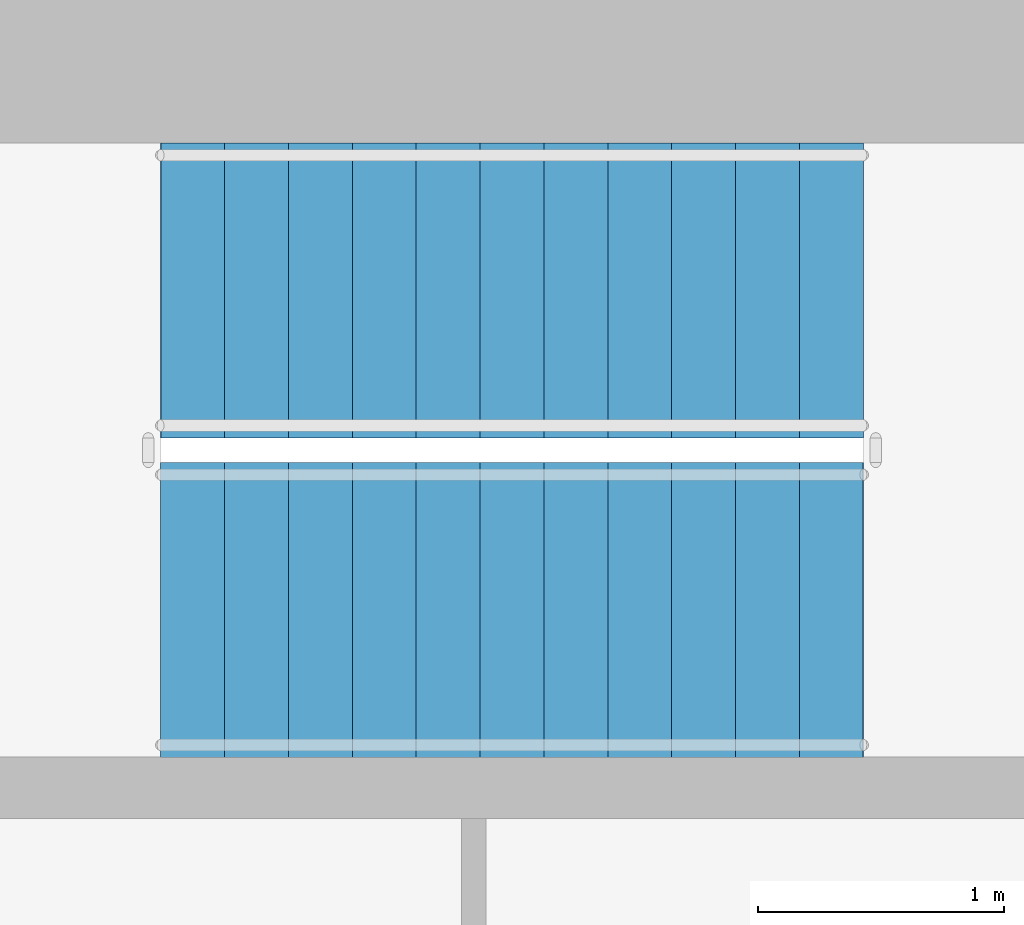
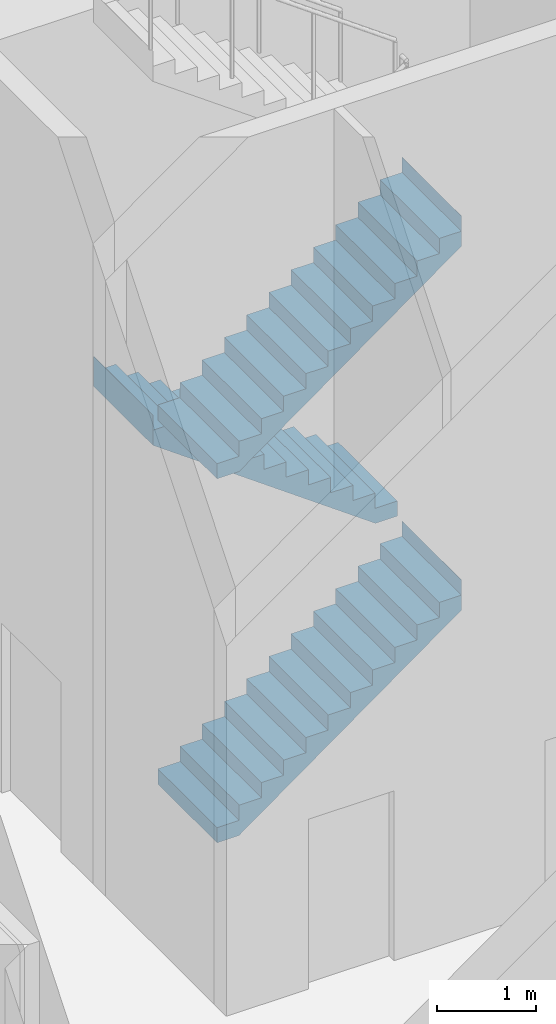
# One storey, part 19 of 35: 3 stair flights, 1 element without a shape of its own.
"""IFC4 building model written with IfcOpenShell, lengths in metres."""

from ifc_helpers import new_model, si_unit, direction, frame, origin, place, context, subcontext, project, spatial, triangles, material, type_object, element, aggregate, save


model = new_model("IFC4")

# Units and contexts
model_context = context("Model", 3, precision=1e-05, world=origin(), true_north=direction((0.0, 1.0)))
body_context = subcontext(model_context, "Body", "Model", "MODEL_VIEW")
ifc_project = project(units=[si_unit("LENGTHUNIT", "METRE"), si_unit("AREAUNIT", "SQUARE_METRE"), si_unit("VOLUMEUNIT", "CUBIC_METRE"), si_unit("PLANEANGLEUNIT", "RADIAN"), si_unit("MASSUNIT", "GRAM", prefix="KILO")], contexts=[model_context])

# Site, building, storey
site_placement = place(None, origin())
site = spatial("IfcSite", under=ifc_project, at=site_placement, CompositionType="ELEMENT")
building_placement = place(site_placement, origin())
building = spatial("IfcBuilding", under=site, at=building_placement, Name="Sahrelin Media Tower", CompositionType="ELEMENT")
storey_placement = place(building_placement, frame((0.0, 0.0, 17.0)))
storey = spatial("IfcBuildingStorey", under=building, at=storey_placement, Name="L02", CompositionType="ELEMENT", Elevation=17.0)

# Stair, stair flights
ifc_material = material(Name="Concrete C40/50", Category="concrete")
stair_type = type_object("IfcStairType", Name="Exit stair 1200", PredefinedType="HALF_TURN_STAIR", material=ifc_material)
stair_placement = place(storey_placement, origin())
stair = element("IfcStair", 1, at=stair_placement, inside=storey, type_object=stair_type, Name="L02 Exit stair ST1", PredefinedType="HALF_TURN_STAIR")
stair_flight_type = type_object("IfcStairFlightType", Name="Stair flight 1200", PredefinedType="STRAIGHT", material=ifc_material)
stair_flight_1_placement = place(storey_placement, frame((-7.675048828125, 4.699951171875, 0.0), z_axis=(0.0, 0.0, 1.0), x_axis=(1.0, 0.0, 0.0)))
stair_flight_1 = element("IfcStairFlight", 2, at=stair_flight_1_placement, type_object=stair_flight_type, Name="ST1 flight 1", NumberOfRisers=12, NumberOfTreads=11, PredefinedType="STRAIGHT", RiserHeight=0.1875, TreadLength=0.26, context=body_context, shape_type="Tessellation", body=[
    triangles([(0.25634765625, 0.60009765625, 0.0), (0.25634765625, 0.300048828125, 0.0), (0.25634765625, 0.0, 0.0), (0.25634765625, -0.300048828125, 0.0), (0.25634765625, -0.60009765625, 0.0), (2.860107421875, 0.60009765625, 1.877685546875), (2.860107421875, 0.300048828125, 1.877685546875), (2.860107421875, 0.0, 1.877685546875), (2.860107421875, -0.300048828125, 1.877685546875), (2.860107421875, -0.60009765625, 1.877685546875), (2.860107421875, 0.60009765625, 2.25), (2.860107421875, 0.300048828125, 2.25), (2.860107421875, 0.0, 2.25), (2.860107421875, -0.300048828125, 2.25), (2.860107421875, -0.60009765625, 2.25), (2.85791015625, 0.60009765625, 2.25), (2.85791015625, 0.300048828125, 2.25), (2.85791015625, 0.0, 2.25), (2.85791015625, -0.300048828125, 2.25), (2.85791015625, -0.60009765625, 2.25), (2.85791015625, 0.60009765625, 2.0625), (2.85791015625, 0.300048828125, 2.0625), (2.85791015625, 0.0, 2.0625), (2.85791015625, -0.300048828125, 2.0625), (2.85791015625, -0.60009765625, 2.0625), (2.60009765625, 0.60009765625, 2.0625), (2.60009765625, 0.300048828125, 2.0625), (2.60009765625, 0.0, 2.0625), (2.60009765625, -0.300048828125, 2.0625), (2.60009765625, -0.60009765625, 2.0625), (2.60009765625, 0.60009765625, 1.875), (2.60009765625, 0.300048828125, 1.875), (2.60009765625, 0.0, 1.875), (2.60009765625, -0.300048828125, 1.875), (2.60009765625, -0.60009765625, 1.875), (2.340087890625, 0.60009765625, 1.875), (2.340087890625, 0.300048828125, 1.875), (2.340087890625, 0.0, 1.875), (2.340087890625, -0.300048828125, 1.875), (2.340087890625, -0.60009765625, 1.875), (2.340087890625, 0.60009765625, 1.6875), (2.340087890625, 0.300048828125, 1.6875), (2.340087890625, 0.0, 1.6875), (2.340087890625, -0.300048828125, 1.6875), (2.340087890625, -0.60009765625, 1.6875), (2.080078125, 0.60009765625, 1.6875), (2.080078125, 0.300048828125, 1.6875), (2.080078125, 0.0, 1.6875), (2.080078125, -0.300048828125, 1.6875), (2.080078125, -0.60009765625, 1.6875), (2.080078125, 0.60009765625, 1.5), (2.080078125, 0.300048828125, 1.5), (2.080078125, 0.0, 1.5), (2.080078125, -0.300048828125, 1.5), (2.080078125, -0.60009765625, 1.5), (1.820068359375, 0.60009765625, 1.5), (1.820068359375, 0.300048828125, 1.5), (1.820068359375, 0.0, 1.5), (1.820068359375, -0.300048828125, 1.5), (1.820068359375, -0.60009765625, 1.5), (1.820068359375, 0.60009765625, 1.3125), (1.820068359375, 0.300048828125, 1.3125), (1.820068359375, 0.0, 1.3125), (1.820068359375, -0.300048828125, 1.3125), (1.820068359375, -0.60009765625, 1.3125), (1.56005859375, 0.60009765625, 1.3125), (1.56005859375, 0.300048828125, 1.3125), (1.56005859375, 0.0, 1.3125), (1.56005859375, -0.300048828125, 1.3125), (1.56005859375, -0.60009765625, 1.3125), (1.56005859375, 0.60009765625, 1.125), (1.56005859375, 0.300048828125, 1.125), (1.56005859375, 0.0, 1.125), (1.56005859375, -0.300048828125, 1.125), (1.56005859375, -0.60009765625, 1.125), (1.300048828125, 0.60009765625, 1.125), (1.300048828125, 0.300048828125, 1.125), (1.300048828125, 0.0, 1.125), (1.300048828125, -0.300048828125, 1.125), (1.300048828125, -0.60009765625, 1.125), (1.300048828125, 0.60009765625, 0.9375), (1.300048828125, 0.300048828125, 0.9375), (1.300048828125, 0.0, 0.9375), (1.300048828125, -0.300048828125, 0.9375), (1.300048828125, -0.60009765625, 0.9375), (1.0400390625, 0.60009765625, 0.9375), (1.0400390625, 0.300048828125, 0.9375), (1.0400390625, 0.0, 0.9375), (1.0400390625, -0.300048828125, 0.9375), (1.0400390625, -0.60009765625, 0.9375), (1.0400390625, 0.60009765625, 0.75), (1.0400390625, 0.300048828125, 0.75), (1.0400390625, 0.0, 0.75), (1.0400390625, -0.300048828125, 0.75), (1.0400390625, -0.60009765625, 0.75), (0.780029296875, 0.60009765625, 0.75), (0.780029296875, 0.300048828125, 0.75), (0.780029296875, 0.0, 0.75), (0.780029296875, -0.300048828125, 0.75), (0.780029296875, -0.60009765625, 0.75), (0.780029296875, 0.60009765625, 0.5625), (0.780029296875, 0.300048828125, 0.5625), (0.780029296875, 0.0, 0.5625), (0.780029296875, -0.300048828125, 0.5625), (0.780029296875, -0.60009765625, 0.5625), (0.52001953125, 0.60009765625, 0.5625), (0.52001953125, 0.300048828125, 0.5625), (0.52001953125, 0.0, 0.5625), (0.52001953125, -0.300048828125, 0.5625), (0.52001953125, -0.60009765625, 0.5625), (0.52001953125, 0.60009765625, 0.375), (0.52001953125, 0.300048828125, 0.375), (0.52001953125, 0.0, 0.375), (0.52001953125, -0.300048828125, 0.375), (0.52001953125, -0.60009765625, 0.375), (0.260009765625, 0.60009765625, 0.375), (0.260009765625, 0.300048828125, 0.375), (0.260009765625, 0.0, 0.375), (0.260009765625, -0.300048828125, 0.375), (0.260009765625, -0.60009765625, 0.375), (0.260009765625, 0.60009765625, 0.1875), (0.260009765625, 0.300048828125, 0.1875), (0.260009765625, 0.0, 0.1875), (0.260009765625, -0.300048828125, 0.1875), (0.260009765625, -0.60009765625, 0.1875), (0.0, 0.60009765625, 0.1875), (0.0, 0.300048828125, 0.1875), (0.0, 0.0, 0.1875), (0.0, -0.300048828125, 0.1875), (0.0, -0.60009765625, 0.1875), (0.0, 0.60009765625, 0.0), (0.0, 0.300048828125, 0.0), (0.0, 0.0, 0.0), (0.0, -0.300048828125, 0.0), (0.0, -0.60009765625, 0.0)], [[1, 6, 7], [1, 7, 2], [2, 7, 8], [2, 8, 3], [3, 8, 9], [3, 9, 4], [4, 9, 10], [4, 10, 5], [6, 11, 12], [6, 12, 7], [7, 12, 13], [7, 13, 8], [8, 13, 14], [8, 14, 9], [9, 14, 15], [9, 15, 10], [11, 16, 17], [11, 17, 12], [12, 17, 18], [12, 18, 13], [13, 18, 19], [13, 19, 14], [14, 19, 20], [14, 20, 15], [16, 21, 22], [16, 22, 17], [17, 22, 23], [17, 23, 18], [18, 23, 24], [18, 24, 19], [19, 24, 25], [19, 25, 20], [21, 26, 27], [21, 27, 22], [22, 27, 28], [22, 28, 23], [23, 28, 29], [23, 29, 24], [24, 29, 30], [24, 30, 25], [26, 31, 32], [26, 32, 27], [27, 32, 33], [27, 33, 28], [28, 33, 34], [28, 34, 29], [29, 34, 35], [29, 35, 30], [31, 36, 37], [31, 37, 32], [32, 37, 38], [32, 38, 33], [33, 38, 39], [33, 39, 34], [34, 39, 40], [34, 40, 35], [36, 41, 42], [36, 42, 37], [37, 42, 43], [37, 43, 38], [38, 43, 44], [38, 44, 39], [39, 44, 45], [39, 45, 40], [41, 46, 47], [41, 47, 42], [42, 47, 48], [42, 48, 43], [43, 48, 49], [43, 49, 44], [44, 49, 50], [44, 50, 45], [46, 51, 52], [46, 52, 47], [47, 52, 53], [47, 53, 48], [48, 53, 54], [48, 54, 49], [49, 54, 55], [49, 55, 50], [51, 56, 57], [51, 57, 52], [52, 57, 58], [52, 58, 53], [53, 58, 59], [53, 59, 54], [54, 59, 60], [54, 60, 55], [56, 61, 62], [56, 62, 57], [57, 62, 63], [57, 63, 58], [58, 63, 64], [58, 64, 59], [59, 64, 65], [59, 65, 60], [61, 66, 67], [61, 67, 62], [62, 67, 68], [62, 68, 63], [63, 68, 69], [63, 69, 64], [64, 69, 70], [64, 70, 65], [66, 71, 72], [66, 72, 67], [67, 72, 73], [67, 73, 68], [68, 73, 74], [68, 74, 69], [69, 74, 75], [69, 75, 70], [71, 76, 77], [71, 77, 72], [72, 77, 78], [72, 78, 73], [73, 78, 79], [73, 79, 74], [74, 79, 80], [74, 80, 75], [76, 81, 82], [76, 82, 77], [77, 82, 83], [77, 83, 78], [78, 83, 84], [78, 84, 79], [79, 84, 85], [79, 85, 80], [81, 86, 87], [81, 87, 82], [82, 87, 88], [82, 88, 83], [83, 88, 89], [83, 89, 84], [84, 89, 90], [84, 90, 85], [86, 91, 92], [86, 92, 87], [87, 92, 93], [87, 93, 88], [88, 93, 94], [88, 94, 89], [89, 94, 95], [89, 95, 90], [91, 96, 97], [91, 97, 92], [92, 97, 98], [92, 98, 93], [93, 98, 99], [93, 99, 94], [94, 99, 100], [94, 100, 95], [96, 101, 102], [96, 102, 97], [97, 102, 103], [97, 103, 98], [98, 103, 104], [98, 104, 99], [99, 104, 105], [99, 105, 100], [101, 106, 107], [101, 107, 102], [102, 107, 108], [102, 108, 103], [103, 108, 109], [103, 109, 104], [104, 109, 110], [104, 110, 105], [106, 111, 112], [106, 112, 107], [107, 112, 113], [107, 113, 108], [108, 113, 114], [108, 114, 109], [109, 114, 115], [109, 115, 110], [111, 116, 117], [111, 117, 112], [112, 117, 118], [112, 118, 113], [113, 118, 119], [113, 119, 114], [114, 119, 120], [114, 120, 115], [116, 121, 122], [116, 122, 117], [117, 122, 123], [117, 123, 118], [118, 123, 124], [118, 124, 119], [119, 124, 125], [119, 125, 120], [121, 126, 127], [121, 127, 122], [122, 127, 128], [122, 128, 123], [123, 128, 129], [123, 129, 124], [124, 129, 130], [124, 130, 125], [126, 131, 132], [126, 132, 127], [127, 132, 133], [127, 133, 128], [128, 133, 134], [128, 134, 129], [129, 134, 135], [129, 135, 130], [131, 1, 2], [131, 2, 132], [132, 2, 3], [132, 3, 133], [133, 3, 4], [133, 4, 134], [134, 4, 5], [134, 5, 135], [5, 130, 135], [1, 131, 126], [125, 115, 120], [121, 116, 111], [115, 105, 110], [111, 106, 101], [105, 95, 100], [101, 96, 91], [95, 85, 90], [91, 86, 81], [85, 75, 80], [81, 76, 71], [75, 65, 70], [71, 66, 61], [65, 55, 60], [61, 56, 51], [55, 45, 50], [51, 46, 41], [45, 35, 40], [41, 36, 31], [35, 25, 30], [31, 26, 21], [25, 15, 20], [21, 16, 11], [5, 125, 130], [1, 126, 121], [10, 35, 45], [6, 41, 31], [25, 10, 15], [21, 11, 6], [115, 125, 5], [111, 1, 121], [35, 10, 25], [31, 21, 6], [105, 115, 5], [101, 1, 111], [45, 55, 10], [41, 6, 51], [95, 105, 5], [91, 1, 101], [65, 10, 55], [61, 51, 6], [85, 95, 5], [81, 1, 91], [75, 10, 65], [71, 61, 6], [75, 85, 5], [71, 1, 81], [5, 10, 75], [1, 71, 6]], closed=True),
])
stair_flight_2_placement = place(storey_placement, frame((-4.81494140625, 6.0, 2.25), z_axis=(0.0, 0.0, 1.0), x_axis=(-1.0, 0.0, 0.0)))
stair_flight_2 = element("IfcStairFlight", 3, at=stair_flight_2_placement, type_object=stair_flight_type, Name="ST1 flight 2", NumberOfRisers=12, NumberOfTreads=11, PredefinedType="STRAIGHT", RiserHeight=0.1875, TreadLength=0.26, context=body_context, shape_type="Tessellation", body=[
    triangles([(0.25634765625, 0.60009765625, 0.0), (0.25634765625, 0.300048828125, 0.0), (0.25634765625, 0.0, 0.0), (0.25634765625, -0.300048828125, 0.0), (0.25634765625, -0.60009765625, 0.0), (2.860107421875, 0.60009765625, 1.877685546875), (2.860107421875, 0.300048828125, 1.877685546875), (2.860107421875, 0.0, 1.877685546875), (2.860107421875, -0.300048828125, 1.877685546875), (2.860107421875, -0.60009765625, 1.877685546875), (2.860107421875, 0.60009765625, 2.25), (2.860107421875, 0.300048828125, 2.25), (2.860107421875, 0.0, 2.25), (2.860107421875, -0.300048828125, 2.25), (2.860107421875, -0.60009765625, 2.25), (2.85791015625, 0.60009765625, 2.25), (2.85791015625, 0.300048828125, 2.25), (2.85791015625, 0.0, 2.25), (2.85791015625, -0.300048828125, 2.25), (2.85791015625, -0.60009765625, 2.25), (2.85791015625, 0.60009765625, 2.0625), (2.85791015625, 0.300048828125, 2.0625), (2.85791015625, 0.0, 2.0625), (2.85791015625, -0.300048828125, 2.0625), (2.85791015625, -0.60009765625, 2.0625), (2.60009765625, 0.60009765625, 2.0625), (2.60009765625, 0.300048828125, 2.0625), (2.60009765625, 0.0, 2.0625), (2.60009765625, -0.300048828125, 2.0625), (2.60009765625, -0.60009765625, 2.0625), (2.60009765625, 0.60009765625, 1.875), (2.60009765625, 0.300048828125, 1.875), (2.60009765625, 0.0, 1.875), (2.60009765625, -0.300048828125, 1.875), (2.60009765625, -0.60009765625, 1.875), (2.340087890625, 0.60009765625, 1.875), (2.340087890625, 0.300048828125, 1.875), (2.340087890625, 0.0, 1.875), (2.340087890625, -0.300048828125, 1.875), (2.340087890625, -0.60009765625, 1.875), (2.340087890625, 0.60009765625, 1.6875), (2.340087890625, 0.300048828125, 1.6875), (2.340087890625, 0.0, 1.6875), (2.340087890625, -0.300048828125, 1.6875), (2.340087890625, -0.60009765625, 1.6875), (2.080078125, 0.60009765625, 1.6875), (2.080078125, 0.300048828125, 1.6875), (2.080078125, 0.0, 1.6875), (2.080078125, -0.300048828125, 1.6875), (2.080078125, -0.60009765625, 1.6875), (2.080078125, 0.60009765625, 1.5), (2.080078125, 0.300048828125, 1.5), (2.080078125, 0.0, 1.5), (2.080078125, -0.300048828125, 1.5), (2.080078125, -0.60009765625, 1.5), (1.820068359375, 0.60009765625, 1.5), (1.820068359375, 0.300048828125, 1.5), (1.820068359375, 0.0, 1.5), (1.820068359375, -0.300048828125, 1.5), (1.820068359375, -0.60009765625, 1.5), (1.820068359375, 0.60009765625, 1.3125), (1.820068359375, 0.300048828125, 1.3125), (1.820068359375, 0.0, 1.3125), (1.820068359375, -0.300048828125, 1.3125), (1.820068359375, -0.60009765625, 1.3125), (1.56005859375, 0.60009765625, 1.3125), (1.56005859375, 0.300048828125, 1.3125), (1.56005859375, 0.0, 1.3125), (1.56005859375, -0.300048828125, 1.3125), (1.56005859375, -0.60009765625, 1.3125), (1.56005859375, 0.60009765625, 1.125), (1.56005859375, 0.300048828125, 1.125), (1.56005859375, 0.0, 1.125), (1.56005859375, -0.300048828125, 1.125), (1.56005859375, -0.60009765625, 1.125), (1.300048828125, 0.60009765625, 1.125), (1.300048828125, 0.300048828125, 1.125), (1.300048828125, 0.0, 1.125), (1.300048828125, -0.300048828125, 1.125), (1.300048828125, -0.60009765625, 1.125), (1.300048828125, 0.60009765625, 0.9375), (1.300048828125, 0.300048828125, 0.9375), (1.300048828125, 0.0, 0.9375), (1.300048828125, -0.300048828125, 0.9375), (1.300048828125, -0.60009765625, 0.9375), (1.0400390625, 0.60009765625, 0.9375), (1.0400390625, 0.300048828125, 0.9375), (1.0400390625, 0.0, 0.9375), (1.0400390625, -0.300048828125, 0.9375), (1.0400390625, -0.60009765625, 0.9375), (1.0400390625, 0.60009765625, 0.75), (1.0400390625, 0.300048828125, 0.75), (1.0400390625, 0.0, 0.75), (1.0400390625, -0.300048828125, 0.75), (1.0400390625, -0.60009765625, 0.75), (0.780029296875, 0.60009765625, 0.75), (0.780029296875, 0.300048828125, 0.75), (0.780029296875, 0.0, 0.75), (0.780029296875, -0.300048828125, 0.75), (0.780029296875, -0.60009765625, 0.75), (0.780029296875, 0.60009765625, 0.5625), (0.780029296875, 0.300048828125, 0.5625), (0.780029296875, 0.0, 0.5625), (0.780029296875, -0.300048828125, 0.5625), (0.780029296875, -0.60009765625, 0.5625), (0.52001953125, 0.60009765625, 0.5625), (0.52001953125, 0.300048828125, 0.5625), (0.52001953125, 0.0, 0.5625), (0.52001953125, -0.300048828125, 0.5625), (0.52001953125, -0.60009765625, 0.5625), (0.52001953125, 0.60009765625, 0.375), (0.52001953125, 0.300048828125, 0.375), (0.52001953125, 0.0, 0.375), (0.52001953125, -0.300048828125, 0.375), (0.52001953125, -0.60009765625, 0.375), (0.260009765625, 0.60009765625, 0.375), (0.260009765625, 0.300048828125, 0.375), (0.260009765625, 0.0, 0.375), (0.260009765625, -0.300048828125, 0.375), (0.260009765625, -0.60009765625, 0.375), (0.260009765625, 0.60009765625, 0.1875), (0.260009765625, 0.300048828125, 0.1875), (0.260009765625, 0.0, 0.1875), (0.260009765625, -0.300048828125, 0.1875), (0.260009765625, -0.60009765625, 0.1875), (0.0, 0.60009765625, 0.1875), (0.0, 0.300048828125, 0.1875), (0.0, 0.0, 0.1875), (0.0, -0.300048828125, 0.1875), (0.0, -0.60009765625, 0.1875), (0.0, 0.60009765625, 0.0), (0.0, 0.300048828125, 0.0), (0.0, 0.0, 0.0), (0.0, -0.300048828125, 0.0), (0.0, -0.60009765625, 0.0)], [[1, 6, 7], [1, 7, 2], [2, 7, 8], [2, 8, 3], [3, 8, 9], [3, 9, 4], [4, 9, 10], [4, 10, 5], [6, 11, 12], [6, 12, 7], [7, 12, 13], [7, 13, 8], [8, 13, 14], [8, 14, 9], [9, 14, 15], [9, 15, 10], [11, 16, 17], [11, 17, 12], [12, 17, 18], [12, 18, 13], [13, 18, 19], [13, 19, 14], [14, 19, 20], [14, 20, 15], [16, 21, 22], [16, 22, 17], [17, 22, 23], [17, 23, 18], [18, 23, 24], [18, 24, 19], [19, 24, 25], [19, 25, 20], [21, 26, 27], [21, 27, 22], [22, 27, 28], [22, 28, 23], [23, 28, 29], [23, 29, 24], [24, 29, 30], [24, 30, 25], [26, 31, 32], [26, 32, 27], [27, 32, 33], [27, 33, 28], [28, 33, 34], [28, 34, 29], [29, 34, 35], [29, 35, 30], [31, 36, 37], [31, 37, 32], [32, 37, 38], [32, 38, 33], [33, 38, 39], [33, 39, 34], [34, 39, 40], [34, 40, 35], [36, 41, 42], [36, 42, 37], [37, 42, 43], [37, 43, 38], [38, 43, 44], [38, 44, 39], [39, 44, 45], [39, 45, 40], [41, 46, 47], [41, 47, 42], [42, 47, 48], [42, 48, 43], [43, 48, 49], [43, 49, 44], [44, 49, 50], [44, 50, 45], [46, 51, 52], [46, 52, 47], [47, 52, 53], [47, 53, 48], [48, 53, 54], [48, 54, 49], [49, 54, 55], [49, 55, 50], [51, 56, 57], [51, 57, 52], [52, 57, 58], [52, 58, 53], [53, 58, 59], [53, 59, 54], [54, 59, 60], [54, 60, 55], [56, 61, 62], [56, 62, 57], [57, 62, 63], [57, 63, 58], [58, 63, 64], [58, 64, 59], [59, 64, 65], [59, 65, 60], [61, 66, 67], [61, 67, 62], [62, 67, 68], [62, 68, 63], [63, 68, 69], [63, 69, 64], [64, 69, 70], [64, 70, 65], [66, 71, 72], [66, 72, 67], [67, 72, 73], [67, 73, 68], [68, 73, 74], [68, 74, 69], [69, 74, 75], [69, 75, 70], [71, 76, 77], [71, 77, 72], [72, 77, 78], [72, 78, 73], [73, 78, 79], [73, 79, 74], [74, 79, 80], [74, 80, 75], [76, 81, 82], [76, 82, 77], [77, 82, 83], [77, 83, 78], [78, 83, 84], [78, 84, 79], [79, 84, 85], [79, 85, 80], [81, 86, 87], [81, 87, 82], [82, 87, 88], [82, 88, 83], [83, 88, 89], [83, 89, 84], [84, 89, 90], [84, 90, 85], [86, 91, 92], [86, 92, 87], [87, 92, 93], [87, 93, 88], [88, 93, 94], [88, 94, 89], [89, 94, 95], [89, 95, 90], [91, 96, 97], [91, 97, 92], [92, 97, 98], [92, 98, 93], [93, 98, 99], [93, 99, 94], [94, 99, 100], [94, 100, 95], [96, 101, 102], [96, 102, 97], [97, 102, 103], [97, 103, 98], [98, 103, 104], [98, 104, 99], [99, 104, 105], [99, 105, 100], [101, 106, 107], [101, 107, 102], [102, 107, 108], [102, 108, 103], [103, 108, 109], [103, 109, 104], [104, 109, 110], [104, 110, 105], [106, 111, 112], [106, 112, 107], [107, 112, 113], [107, 113, 108], [108, 113, 114], [108, 114, 109], [109, 114, 115], [109, 115, 110], [111, 116, 117], [111, 117, 112], [112, 117, 118], [112, 118, 113], [113, 118, 119], [113, 119, 114], [114, 119, 120], [114, 120, 115], [116, 121, 122], [116, 122, 117], [117, 122, 123], [117, 123, 118], [118, 123, 124], [118, 124, 119], [119, 124, 125], [119, 125, 120], [121, 126, 127], [121, 127, 122], [122, 127, 128], [122, 128, 123], [123, 128, 129], [123, 129, 124], [124, 129, 130], [124, 130, 125], [126, 131, 132], [126, 132, 127], [127, 132, 133], [127, 133, 128], [128, 133, 134], [128, 134, 129], [129, 134, 135], [129, 135, 130], [131, 1, 2], [131, 2, 132], [132, 2, 3], [132, 3, 133], [133, 3, 4], [133, 4, 134], [134, 4, 5], [134, 5, 135], [5, 130, 135], [1, 131, 126], [125, 115, 120], [121, 116, 111], [115, 105, 110], [111, 106, 101], [105, 95, 100], [101, 96, 91], [95, 85, 90], [91, 86, 81], [85, 75, 80], [81, 76, 71], [75, 65, 70], [71, 66, 61], [65, 55, 60], [61, 56, 51], [55, 45, 50], [51, 46, 41], [45, 35, 40], [41, 36, 31], [35, 25, 30], [31, 26, 21], [25, 15, 20], [21, 16, 11], [5, 125, 130], [1, 126, 121], [10, 35, 45], [6, 41, 31], [25, 10, 15], [21, 11, 6], [115, 125, 5], [111, 1, 121], [35, 10, 25], [31, 21, 6], [105, 115, 5], [101, 1, 111], [45, 55, 10], [41, 6, 51], [95, 105, 5], [91, 1, 101], [65, 10, 55], [61, 51, 6], [85, 95, 5], [81, 1, 91], [75, 10, 65], [71, 61, 6], [75, 85, 5], [71, 1, 81], [5, 10, 75], [1, 71, 6]], closed=True),
])
stair_flight_3_placement = place(storey_placement, frame((-7.675048828125, 4.699951171875, 4.5), z_axis=(0.0, 0.0, 1.0), x_axis=(1.0, 0.0, 0.0)))
stair_flight_3 = element("IfcStairFlight", 4, at=stair_flight_3_placement, type_object=stair_flight_type, Name="ST1 flight 3", NumberOfRisers=12, NumberOfTreads=11, PredefinedType="STRAIGHT", RiserHeight=0.1875, TreadLength=0.26, context=body_context, shape_type="Tessellation", body=[
    triangles([(0.25634765625, 0.60009765625, 0.0), (0.25634765625, 0.300048828125, 0.0), (0.25634765625, 0.0, 0.0), (0.25634765625, -0.300048828125, 0.0), (0.25634765625, -0.60009765625, 0.0), (2.860107421875, 0.60009765625, 1.877685546875), (2.860107421875, 0.300048828125, 1.877685546875), (2.860107421875, 0.0, 1.877685546875), (2.860107421875, -0.300048828125, 1.877685546875), (2.860107421875, -0.60009765625, 1.877685546875), (2.860107421875, 0.60009765625, 2.25), (2.860107421875, 0.300048828125, 2.25), (2.860107421875, 0.0, 2.25), (2.860107421875, -0.300048828125, 2.25), (2.860107421875, -0.60009765625, 2.25), (2.85791015625, 0.60009765625, 2.25), (2.85791015625, 0.300048828125, 2.25), (2.85791015625, 0.0, 2.25), (2.85791015625, -0.300048828125, 2.25), (2.85791015625, -0.60009765625, 2.25), (2.85791015625, 0.60009765625, 2.0625), (2.85791015625, 0.300048828125, 2.0625), (2.85791015625, 0.0, 2.0625), (2.85791015625, -0.300048828125, 2.0625), (2.85791015625, -0.60009765625, 2.0625), (2.60009765625, 0.60009765625, 2.0625), (2.60009765625, 0.300048828125, 2.0625), (2.60009765625, 0.0, 2.0625), (2.60009765625, -0.300048828125, 2.0625), (2.60009765625, -0.60009765625, 2.0625), (2.60009765625, 0.60009765625, 1.875), (2.60009765625, 0.300048828125, 1.875), (2.60009765625, 0.0, 1.875), (2.60009765625, -0.300048828125, 1.875), (2.60009765625, -0.60009765625, 1.875), (2.340087890625, 0.60009765625, 1.875), (2.340087890625, 0.300048828125, 1.875), (2.340087890625, 0.0, 1.875), (2.340087890625, -0.300048828125, 1.875), (2.340087890625, -0.60009765625, 1.875), (2.340087890625, 0.60009765625, 1.6875), (2.340087890625, 0.300048828125, 1.6875), (2.340087890625, 0.0, 1.6875), (2.340087890625, -0.300048828125, 1.6875), (2.340087890625, -0.60009765625, 1.6875), (2.080078125, 0.60009765625, 1.6875), (2.080078125, 0.300048828125, 1.6875), (2.080078125, 0.0, 1.6875), (2.080078125, -0.300048828125, 1.6875), (2.080078125, -0.60009765625, 1.6875), (2.080078125, 0.60009765625, 1.5), (2.080078125, 0.300048828125, 1.5), (2.080078125, 0.0, 1.5), (2.080078125, -0.300048828125, 1.5), (2.080078125, -0.60009765625, 1.5), (1.820068359375, 0.60009765625, 1.5), (1.820068359375, 0.300048828125, 1.5), (1.820068359375, 0.0, 1.5), (1.820068359375, -0.300048828125, 1.5), (1.820068359375, -0.60009765625, 1.5), (1.820068359375, 0.60009765625, 1.3125), (1.820068359375, 0.300048828125, 1.3125), (1.820068359375, 0.0, 1.3125), (1.820068359375, -0.300048828125, 1.3125), (1.820068359375, -0.60009765625, 1.3125), (1.56005859375, 0.60009765625, 1.3125), (1.56005859375, 0.300048828125, 1.3125), (1.56005859375, 0.0, 1.3125), (1.56005859375, -0.300048828125, 1.3125), (1.56005859375, -0.60009765625, 1.3125), (1.56005859375, 0.60009765625, 1.125), (1.56005859375, 0.300048828125, 1.125), (1.56005859375, 0.0, 1.125), (1.56005859375, -0.300048828125, 1.125), (1.56005859375, -0.60009765625, 1.125), (1.300048828125, 0.60009765625, 1.125), (1.300048828125, 0.300048828125, 1.125), (1.300048828125, 0.0, 1.125), (1.300048828125, -0.300048828125, 1.125), (1.300048828125, -0.60009765625, 1.125), (1.300048828125, 0.60009765625, 0.9375), (1.300048828125, 0.300048828125, 0.9375), (1.300048828125, 0.0, 0.9375), (1.300048828125, -0.300048828125, 0.9375), (1.300048828125, -0.60009765625, 0.9375), (1.0400390625, 0.60009765625, 0.9375), (1.0400390625, 0.300048828125, 0.9375), (1.0400390625, 0.0, 0.9375), (1.0400390625, -0.300048828125, 0.9375), (1.0400390625, -0.60009765625, 0.9375), (1.0400390625, 0.60009765625, 0.75), (1.0400390625, 0.300048828125, 0.75), (1.0400390625, 0.0, 0.75), (1.0400390625, -0.300048828125, 0.75), (1.0400390625, -0.60009765625, 0.75), (0.780029296875, 0.60009765625, 0.75), (0.780029296875, 0.300048828125, 0.75), (0.780029296875, 0.0, 0.75), (0.780029296875, -0.300048828125, 0.75), (0.780029296875, -0.60009765625, 0.75), (0.780029296875, 0.60009765625, 0.5625), (0.780029296875, 0.300048828125, 0.5625), (0.780029296875, 0.0, 0.5625), (0.780029296875, -0.300048828125, 0.5625), (0.780029296875, -0.60009765625, 0.5625), (0.52001953125, 0.60009765625, 0.5625), (0.52001953125, 0.300048828125, 0.5625), (0.52001953125, 0.0, 0.5625), (0.52001953125, -0.300048828125, 0.5625), (0.52001953125, -0.60009765625, 0.5625), (0.52001953125, 0.60009765625, 0.375), (0.52001953125, 0.300048828125, 0.375), (0.52001953125, 0.0, 0.375), (0.52001953125, -0.300048828125, 0.375), (0.52001953125, -0.60009765625, 0.375), (0.260009765625, 0.60009765625, 0.375), (0.260009765625, 0.300048828125, 0.375), (0.260009765625, 0.0, 0.375), (0.260009765625, -0.300048828125, 0.375), (0.260009765625, -0.60009765625, 0.375), (0.260009765625, 0.60009765625, 0.1875), (0.260009765625, 0.300048828125, 0.1875), (0.260009765625, 0.0, 0.1875), (0.260009765625, -0.300048828125, 0.1875), (0.260009765625, -0.60009765625, 0.1875), (0.0, 0.60009765625, 0.1875), (0.0, 0.300048828125, 0.1875), (0.0, 0.0, 0.1875), (0.0, -0.300048828125, 0.1875), (0.0, -0.60009765625, 0.1875), (0.0, 0.60009765625, 0.0), (0.0, 0.300048828125, 0.0), (0.0, 0.0, 0.0), (0.0, -0.300048828125, 0.0), (0.0, -0.60009765625, 0.0)], [[1, 6, 7], [1, 7, 2], [2, 7, 8], [2, 8, 3], [3, 8, 9], [3, 9, 4], [4, 9, 10], [4, 10, 5], [6, 11, 12], [6, 12, 7], [7, 12, 13], [7, 13, 8], [8, 13, 14], [8, 14, 9], [9, 14, 15], [9, 15, 10], [11, 16, 17], [11, 17, 12], [12, 17, 18], [12, 18, 13], [13, 18, 19], [13, 19, 14], [14, 19, 20], [14, 20, 15], [16, 21, 22], [16, 22, 17], [17, 22, 23], [17, 23, 18], [18, 23, 24], [18, 24, 19], [19, 24, 25], [19, 25, 20], [21, 26, 27], [21, 27, 22], [22, 27, 28], [22, 28, 23], [23, 28, 29], [23, 29, 24], [24, 29, 30], [24, 30, 25], [26, 31, 32], [26, 32, 27], [27, 32, 33], [27, 33, 28], [28, 33, 34], [28, 34, 29], [29, 34, 35], [29, 35, 30], [31, 36, 37], [31, 37, 32], [32, 37, 38], [32, 38, 33], [33, 38, 39], [33, 39, 34], [34, 39, 40], [34, 40, 35], [36, 41, 42], [36, 42, 37], [37, 42, 43], [37, 43, 38], [38, 43, 44], [38, 44, 39], [39, 44, 45], [39, 45, 40], [41, 46, 47], [41, 47, 42], [42, 47, 48], [42, 48, 43], [43, 48, 49], [43, 49, 44], [44, 49, 50], [44, 50, 45], [46, 51, 52], [46, 52, 47], [47, 52, 53], [47, 53, 48], [48, 53, 54], [48, 54, 49], [49, 54, 55], [49, 55, 50], [51, 56, 57], [51, 57, 52], [52, 57, 58], [52, 58, 53], [53, 58, 59], [53, 59, 54], [54, 59, 60], [54, 60, 55], [56, 61, 62], [56, 62, 57], [57, 62, 63], [57, 63, 58], [58, 63, 64], [58, 64, 59], [59, 64, 65], [59, 65, 60], [61, 66, 67], [61, 67, 62], [62, 67, 68], [62, 68, 63], [63, 68, 69], [63, 69, 64], [64, 69, 70], [64, 70, 65], [66, 71, 72], [66, 72, 67], [67, 72, 73], [67, 73, 68], [68, 73, 74], [68, 74, 69], [69, 74, 75], [69, 75, 70], [71, 76, 77], [71, 77, 72], [72, 77, 78], [72, 78, 73], [73, 78, 79], [73, 79, 74], [74, 79, 80], [74, 80, 75], [76, 81, 82], [76, 82, 77], [77, 82, 83], [77, 83, 78], [78, 83, 84], [78, 84, 79], [79, 84, 85], [79, 85, 80], [81, 86, 87], [81, 87, 82], [82, 87, 88], [82, 88, 83], [83, 88, 89], [83, 89, 84], [84, 89, 90], [84, 90, 85], [86, 91, 92], [86, 92, 87], [87, 92, 93], [87, 93, 88], [88, 93, 94], [88, 94, 89], [89, 94, 95], [89, 95, 90], [91, 96, 97], [91, 97, 92], [92, 97, 98], [92, 98, 93], [93, 98, 99], [93, 99, 94], [94, 99, 100], [94, 100, 95], [96, 101, 102], [96, 102, 97], [97, 102, 103], [97, 103, 98], [98, 103, 104], [98, 104, 99], [99, 104, 105], [99, 105, 100], [101, 106, 107], [101, 107, 102], [102, 107, 108], [102, 108, 103], [103, 108, 109], [103, 109, 104], [104, 109, 110], [104, 110, 105], [106, 111, 112], [106, 112, 107], [107, 112, 113], [107, 113, 108], [108, 113, 114], [108, 114, 109], [109, 114, 115], [109, 115, 110], [111, 116, 117], [111, 117, 112], [112, 117, 118], [112, 118, 113], [113, 118, 119], [113, 119, 114], [114, 119, 120], [114, 120, 115], [116, 121, 122], [116, 122, 117], [117, 122, 123], [117, 123, 118], [118, 123, 124], [118, 124, 119], [119, 124, 125], [119, 125, 120], [121, 126, 127], [121, 127, 122], [122, 127, 128], [122, 128, 123], [123, 128, 129], [123, 129, 124], [124, 129, 130], [124, 130, 125], [126, 131, 132], [126, 132, 127], [127, 132, 133], [127, 133, 128], [128, 133, 134], [128, 134, 129], [129, 134, 135], [129, 135, 130], [131, 1, 2], [131, 2, 132], [132, 2, 3], [132, 3, 133], [133, 3, 4], [133, 4, 134], [134, 4, 5], [134, 5, 135], [5, 130, 135], [1, 131, 126], [125, 115, 120], [121, 116, 111], [115, 105, 110], [111, 106, 101], [105, 95, 100], [101, 96, 91], [95, 85, 90], [91, 86, 81], [85, 75, 80], [81, 76, 71], [75, 65, 70], [71, 66, 61], [65, 55, 60], [61, 56, 51], [55, 45, 50], [51, 46, 41], [45, 35, 40], [41, 36, 31], [35, 25, 30], [31, 26, 21], [25, 15, 20], [21, 16, 11], [5, 125, 130], [1, 126, 121], [10, 35, 45], [6, 41, 31], [25, 10, 15], [21, 11, 6], [115, 125, 5], [111, 1, 121], [35, 10, 25], [31, 21, 6], [105, 115, 5], [101, 1, 111], [45, 55, 10], [41, 6, 51], [95, 105, 5], [91, 1, 101], [65, 10, 55], [61, 51, 6], [85, 95, 5], [81, 1, 91], [75, 10, 65], [71, 61, 6], [75, 85, 5], [71, 1, 81], [5, 10, 75], [1, 71, 6]], closed=True),
])
aggregate(stair, [stair_flight_1, stair_flight_2, stair_flight_3])

save(model, "model.ifc")
